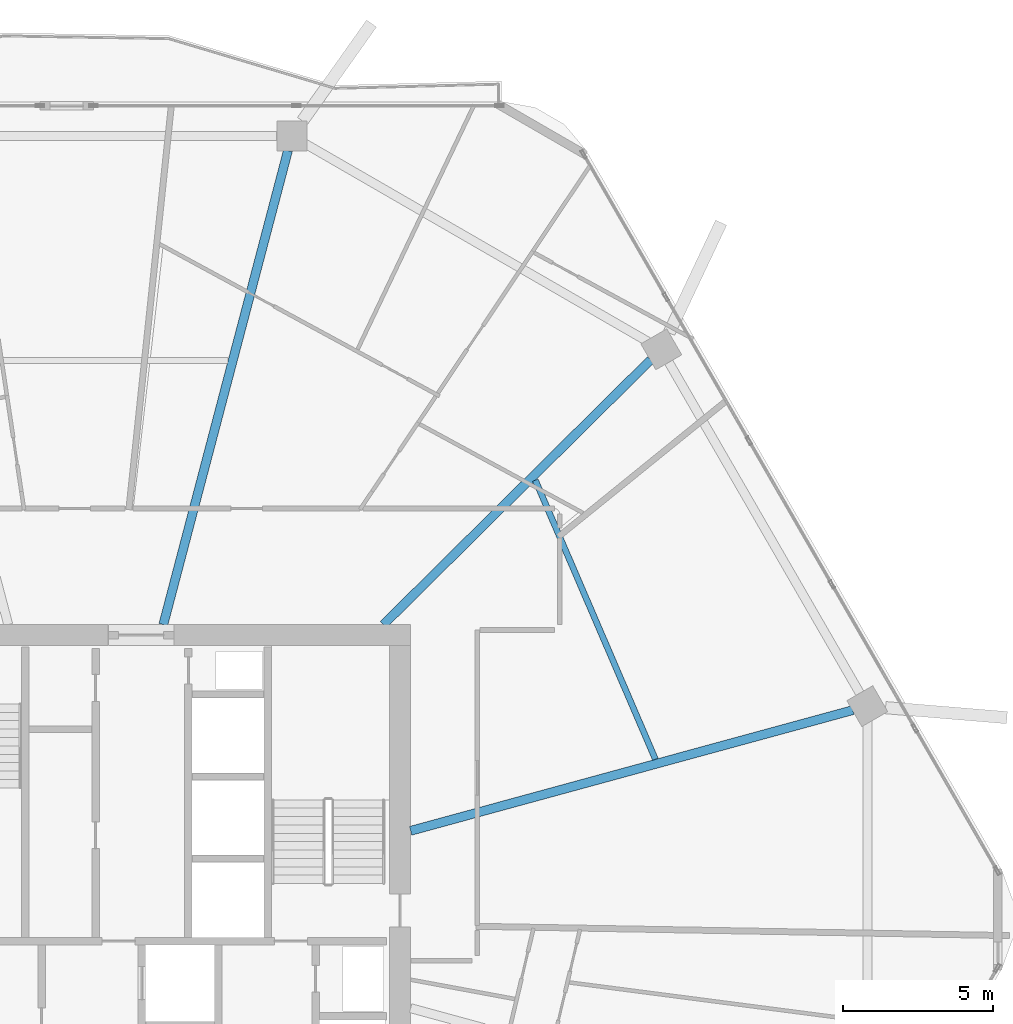
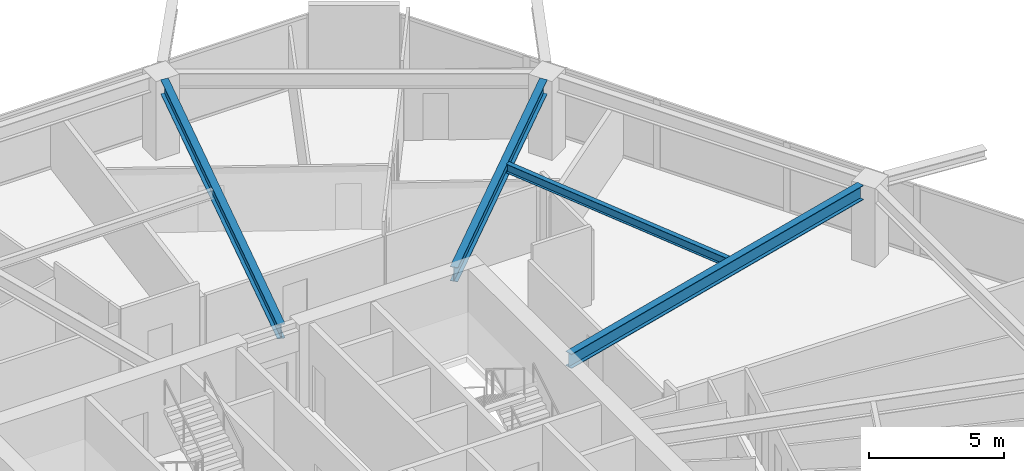
# One storey, part 15 of 27: 4 beams.
"""IFC4 building model written with IfcOpenShell, lengths in metres."""

from ifc_helpers import new_model, si_unit, direction, frame, origin, origin_2d, place, context, subcontext, project, spatial, i_section, extrude, material, material_profile, profile_set, type_object, element, save


model = new_model("IFC4")

# Units and contexts
model_context = context("Model", 3, precision=1e-05, world=origin(), true_north=direction((0.0, 1.0)))
body_context = subcontext(model_context, "Body", "Model", "MODEL_VIEW")
ifc_project = project(units=[si_unit("LENGTHUNIT", "METRE"), si_unit("AREAUNIT", "SQUARE_METRE"), si_unit("VOLUMEUNIT", "CUBIC_METRE"), si_unit("PLANEANGLEUNIT", "RADIAN"), si_unit("MASSUNIT", "GRAM", prefix="KILO")], contexts=[model_context])

# Site, building, storey
site_placement = place(None, origin())
site = spatial("IfcSite", under=ifc_project, at=site_placement, CompositionType="ELEMENT")
building_placement = place(site_placement, origin())
building = spatial("IfcBuilding", under=site, at=building_placement, Name="Zuhravey Tower", CompositionType="ELEMENT")
storey_placement = place(building_placement, frame((0.0, 0.0, 173.199951171875)))
storey = spatial("IfcBuildingStorey", under=building, at=storey_placement, Name="L43", CompositionType="ELEMENT", Elevation=173.199951171875)

# Beams
ifc_material = material(Name="Steel SM355", Category="steel")
ifc_material_profile_1 = material_profile(ifc_material, i_section(OverallWidth=0.300048828125, OverallDepth=0.64990234375, WebThickness=0.012939453125, FlangeThickness=0.02197265625, at=origin_2d()), Name="H-650x300x13x22")
ifc_profile_set_1 = profile_set([ifc_material_profile_1], Name="Steel SM355")
beam_type_1 = type_object("IfcBeamType", Name="Radial Primary Girder H650x300", PredefinedType="BEAM", material=ifc_profile_set_1)
beam_1_placement = place(storey_placement, frame((46.85302734375, 34.96240234375, 3.22509765625), z_axis=(0.964701601771, 0.263345437667, 0.0), x_axis=(-0.263345437667, 0.964701601771, 0.0)))
element("IfcBeam", 1, at=beam_1_placement, inside=storey, type_object=beam_type_1, Name="L43 RG2 BM-L43-RAD-01", PredefinedType="BEAM", context=body_context, shape_type="SweptSolid", body=[
    extrude(i_section(OverallWidth=0.300048828125, OverallDepth=0.64990234375, WebThickness=0.012939453125, FlangeThickness=0.02197265625, at=origin_2d()), origin(), (0.0, 0.0, 1.0), 15.309814453125),
])
beam_2_placement = place(storey_placement, frame((45.945556640625, 41.85302734375, 3.22509765625), z_axis=(0.71040353357, 0.703794586148, 0.0), x_axis=(-0.703794586148, 0.71040353357, 0.0)))
element("IfcBeam", 2, at=beam_2_placement, inside=storey, type_object=beam_type_1, Name="L43 RG2 BM-L43-RAD-02", PredefinedType="BEAM", context=body_context, shape_type="SweptSolid", body=[
    extrude(i_section(OverallWidth=0.300048828125, OverallDepth=0.64990234375, WebThickness=0.012939453125, FlangeThickness=0.02197265625, at=origin_2d()), origin(), (0.0, 0.0, 1.0), 12.559814453125),
])
beam_3_placement = place(storey_placement, frame((38.5908203125, 41.85302734375, 3.22509765625), z_axis=(0.254300244998, 0.967125320418, 0.0), x_axis=(-0.967125320418, 0.254300244998, 0.0)))
element("IfcBeam", 3, at=beam_3_placement, inside=storey, type_object=beam_type_1, Name="L43 RG2 BM-L43-RAD-03", PredefinedType="BEAM", context=body_context, shape_type="SweptSolid", body=[
    extrude(i_section(OverallWidth=0.300048828125, OverallDepth=0.64990234375, WebThickness=0.012939453125, FlangeThickness=0.02197265625, at=origin_2d()), origin(), (0.0, 0.0, 1.0), 16.371826171875),
])
ifc_material_profile_2 = material_profile(ifc_material, i_section(OverallWidth=0.199951171875, OverallDepth=0.39990234375, WebThickness=0.008056640625, FlangeThickness=0.012939453125, at=origin_2d()), Name="H-400x200x8x13")
ifc_profile_set_2 = profile_set([ifc_material_profile_2], Name="Steel SM355")
beam_type_2 = type_object("IfcBeamType", Name="Secondary Floor Joist H400x200", PredefinedType="JOIST", material=ifc_profile_set_2)
beam_4_placement = place(storey_placement, frame((55.029541015625, 37.3525390625, 3.35009765625), z_axis=(-0.395265853487, 0.918566766799, 0.0), x_axis=(-0.918566766799, -0.395265853487, 0.0)))
element("IfcBeam", 4, at=beam_4_placement, inside=storey, type_object=beam_type_2, Name="L43 SJ2 BM-L43-SJ-01-1", PredefinedType="JOIST", context=body_context, shape_type="SweptSolid", body=[
    extrude(i_section(OverallWidth=0.199951171875, OverallDepth=0.39990234375, WebThickness=0.008056640625, FlangeThickness=0.012939453125, at=origin_2d()), origin(), (0.0, 0.0, 1.0), 10.150146484375),
])

save(model, "model.ifc")
